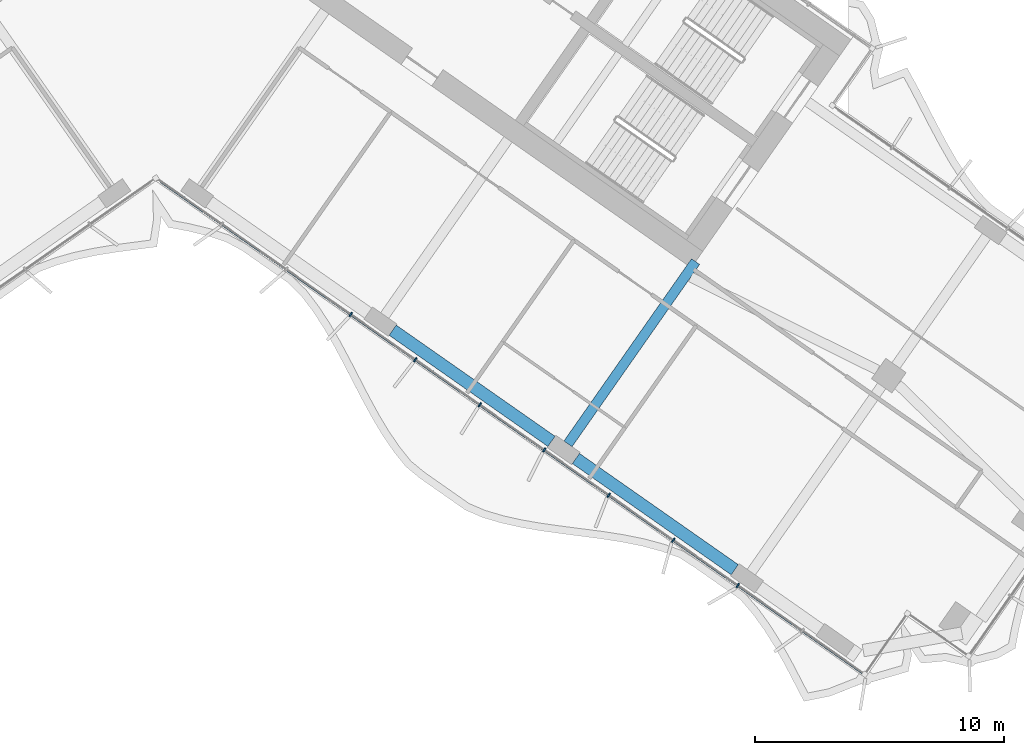
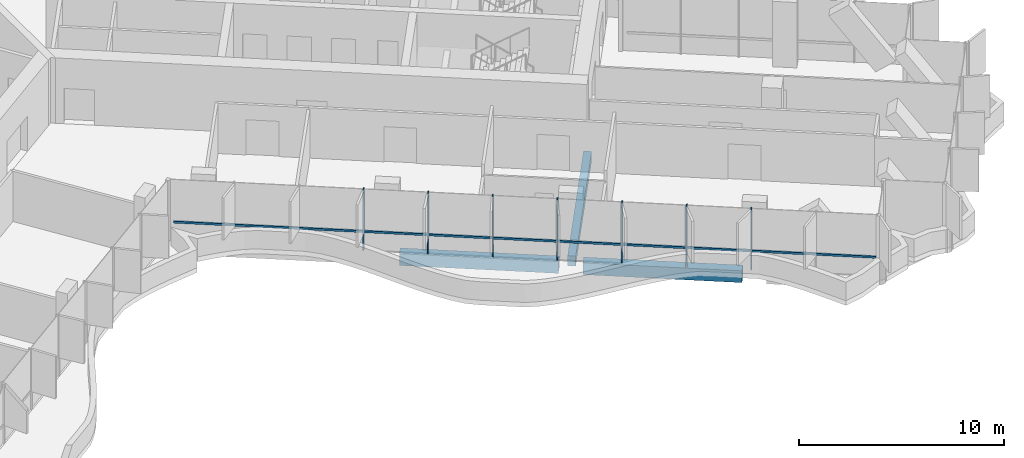
# One storey, part 5 of 21: 8 members, 3 beams, 1 element without a shape of its own.
"""IFC4 building model written with IfcOpenShell, lengths in metres."""

from ifc_helpers import new_model, si_unit, direction, frame, origin, origin_2d, place, context, subcontext, project, spatial, rectangle, extrude, material, material_profile, profile_set, type_object, element, aggregate, save


model = new_model("IFC4")

# Units and contexts
model_context = context("Model", 3, precision=1e-05, world=origin(), true_north=direction((0.0, 1.0)))
body_context = subcontext(model_context, "Body", "Model", "MODEL_VIEW")
ifc_project = project(units=[si_unit("LENGTHUNIT", "METRE"), si_unit("AREAUNIT", "SQUARE_METRE"), si_unit("VOLUMEUNIT", "CUBIC_METRE"), si_unit("PLANEANGLEUNIT", "RADIAN"), si_unit("MASSUNIT", "GRAM", prefix="KILO")], contexts=[model_context])

# Site, building, storey
site_placement = place(None, origin())
site = spatial("IfcSite", under=ifc_project, at=site_placement, CompositionType="ELEMENT")
building_placement = place(site_placement, origin())
building = spatial("IfcBuilding", under=site, at=building_placement, Name="Tel Ilan Convention Tower", CompositionType="ELEMENT")
storey_placement = place(building_placement, frame((0.0, 0.0, 139.800048828125)))
storey = spatial("IfcBuildingStorey", under=building, at=storey_placement, Name="L31", CompositionType="ELEMENT", Elevation=139.800048828125)

# Beams
ifc_material_1 = material(Name="Concrete C40/50", Category="concrete")
ifc_material_profile_1 = material_profile(ifc_material_1, rectangle(XDim=0.39990234375, YDim=0.60009765625, at=origin_2d()), Name="RC 400x600")
ifc_profile_set_1 = profile_set([ifc_material_profile_1], Name="Concrete C40/50")
beam_type_1 = type_object("IfcBeamType", Name="Beam RC 400x600 Concrete C40/50", PredefinedType="BEAM", material=ifc_profile_set_1)
beam_placement = place(storey_placement, frame((16.58203125, -23.391357421875, -0.580078125), z_axis=(0.573584999642, 0.819146048141, 0.0), x_axis=(-0.819146048141, 0.573584999642, 0.0)))
element("IfcBeam", 1, at=beam_placement, inside=storey, type_object=beam_type_1, Name="L31 beam E-E-F3-core", PredefinedType="BEAM", context=body_context, shape_type="SweptSolid", body=[
    extrude(rectangle(XDim=0.39990234375, YDim=0.60009765625, at=origin_2d()), origin(), (0.0, 0.0, 1.0), 8.949951171875),
])
ifc_material_2 = material(Name="Concrete C40/50", Category="concrete")
ifc_material_profile_2 = material_profile(ifc_material_2, rectangle(XDim=0.5, YDim=0.699951171875, at=origin_2d()), Name="RC 500x700")
ifc_profile_set_2 = profile_set([ifc_material_profile_2], Name="Concrete C40/50")
beam_type_2 = type_object("IfcBeamType", Name="Beam RC 500x700 Concrete C40/50", PredefinedType="BEAM", material=ifc_profile_set_2)
for number, where, z_axis, x_axis, name in (
    (2, (9.529052734375, -18.819091796875, -0.630126953125), (0.819153977895, -0.573573674866, 0.0), (0.573573674866, 0.819153977895, 0.0), "L31 beam E-E-F2-E-F3"),
    (3, (16.901611328125, -23.981201171875, -0.630126953125), (0.819153977895, -0.573573674866, 0.0), (0.573573674866, 0.819153977895, 0.0), "L31 beam E-E-F3-E-F4"),
):
    element("IfcBeam", number, at=place(storey_placement, frame(where, z_axis=z_axis, x_axis=x_axis)), inside=storey, type_object=beam_type_2, Name=name, PredefinedType="BEAM", context=body_context, shape_type="SweptSolid", body=[
        extrude(rectangle(XDim=0.5, YDim=0.699951171875, at=origin_2d()), origin(), (0.0, 0.0, 1.0), 7.800048828125),
    ])

# Curtain wall, members
ifc_material_3 = material(Name="Aluminium, bronze anodised", Category="aluminium")
curtain_wall_type = type_object("IfcCurtainWallType", Name="CW4 STICK CURTAIN WALL, OFFICE TINTED GLASS", PredefinedType="NOTDEFINED", material=ifc_material_3)
curtain_wall_placement = place(storey_placement, origin())
curtain_wall = element("IfcCurtainWall", 4, at=curtain_wall_placement, inside=storey, type_object=curtain_wall_type, Name="Curtain wall CW4-25.02", PredefinedType="NOTDEFINED")
ifc_material_4 = material(Name="Aluminium, bronze anodised", Category="aluminium")
ifc_material_profile_3 = material_profile(ifc_material_4, rectangle(XDim=0.06005859375, YDim=0.199951171875, at=origin_2d()), Name="CW MULLION 60x200")
ifc_profile_set_3 = profile_set([ifc_material_profile_3], Name="Aluminium, bronze anodised")
member_type_1 = type_object("IfcMemberType", Name="CW MULLION 60x200", PredefinedType="MULLION", material=ifc_profile_set_3)
member_1_placement = place(storey_placement, frame((7.842529296875, -18.1875, 0.0), z_axis=(0.0, 0.0, 1.0), x_axis=(0.819152044289, -0.573576436351, 0.0)))
member_1 = element("IfcMember", 5, at=member_1_placement, type_object=member_type_1, Name="Mullion", PredefinedType="MULLION", context=body_context, shape_type="SweptSolid", body=[
    extrude(rectangle(XDim=0.06005859375, YDim=0.199951171875, at=origin_2d()), origin(), (0.0, 0.0, 1.0), 3.619873046875),
])
member_2_placement = place(storey_placement, frame((10.4375, -20.004638671875, 0.0), z_axis=(0.0, 0.0, 1.0), x_axis=(0.819152044289, -0.573576436351, 0.0)))
member_2 = element("IfcMember", 6, at=member_2_placement, type_object=member_type_1, Name="Mullion", PredefinedType="MULLION", context=body_context, shape_type="SweptSolid", body=[
    extrude(rectangle(XDim=0.06005859375, YDim=0.199951171875, at=origin_2d()), origin(), (0.0, 0.0, 1.0), 3.619873046875),
])
member_3_placement = place(storey_placement, frame((13.03271484375, -21.821533203125, 0.0), z_axis=(0.0, 0.0, 1.0), x_axis=(0.819152044289, -0.573576436351, 0.0)))
member_3 = element("IfcMember", 7, at=member_3_placement, type_object=member_type_1, Name="Mullion", PredefinedType="MULLION", context=body_context, shape_type="SweptSolid", body=[
    extrude(rectangle(XDim=0.06005859375, YDim=0.199951171875, at=origin_2d()), origin(), (0.0, 0.0, 1.0), 3.619873046875),
])
member_4_placement = place(storey_placement, frame((15.627685546875, -23.638671875, 0.0), z_axis=(0.0, 0.0, 1.0), x_axis=(0.819152044289, -0.573576436351, 0.0)))
member_4 = element("IfcMember", 8, at=member_4_placement, type_object=member_type_1, Name="Mullion", PredefinedType="MULLION", context=body_context, shape_type="SweptSolid", body=[
    extrude(rectangle(XDim=0.06005859375, YDim=0.199951171875, at=origin_2d()), origin(), (0.0, 0.0, 1.0), 3.619873046875),
])
member_5_placement = place(storey_placement, frame((18.222900390625, -25.455810546875, 0.0), z_axis=(0.0, 0.0, 1.0), x_axis=(0.819152044289, -0.573576436351, 0.0)))
member_5 = element("IfcMember", 9, at=member_5_placement, type_object=member_type_1, Name="Mullion", PredefinedType="MULLION", context=body_context, shape_type="SweptSolid", body=[
    extrude(rectangle(XDim=0.06005859375, YDim=0.199951171875, at=origin_2d()), origin(), (0.0, 0.0, 1.0), 3.619873046875),
])
member_6_placement = place(storey_placement, frame((20.81787109375, -27.27294921875, 0.0), z_axis=(0.0, 0.0, 1.0), x_axis=(0.819152044289, -0.573576436351, 0.0)))
member_6 = element("IfcMember", 10, at=member_6_placement, type_object=member_type_1, Name="Mullion", PredefinedType="MULLION", context=body_context, shape_type="SweptSolid", body=[
    extrude(rectangle(XDim=0.06005859375, YDim=0.199951171875, at=origin_2d()), origin(), (0.0, 0.0, 1.0), 3.619873046875),
])
member_7_placement = place(storey_placement, frame((23.412841796875, -29.08984375, 0.0), z_axis=(0.0, 0.0, 1.0), x_axis=(0.819152044289, -0.573576436351, 0.0)))
member_7 = element("IfcMember", 11, at=member_7_placement, type_object=member_type_1, Name="Mullion", PredefinedType="MULLION", context=body_context, shape_type="SweptSolid", body=[
    extrude(rectangle(XDim=0.06005859375, YDim=0.199951171875, at=origin_2d()), origin(), (0.0, 0.0, 1.0), 3.619873046875),
])
ifc_material_5 = material(Name="Aluminium, bronze anodised", Category="aluminium")
ifc_material_profile_4 = material_profile(ifc_material_5, rectangle(XDim=0.10009765625, YDim=0.1201171875, at=origin_2d()), Name="CW TRANSOM 100x120")
ifc_profile_set_4 = profile_set([ifc_material_profile_4], Name="Aluminium, bronze anodised")
member_type_2 = type_object("IfcMemberType", Name="CW TRANSOM 100x120", PredefinedType="USERDEFINED", material=ifc_profile_set_4)
member_8_placement = place(storey_placement, frame((0.22119140625, -12.850830078125, 1.099853515625), z_axis=(0.819151003602, -0.573577922604, 0.0), x_axis=(0.573577922604, 0.819151003602, 0.0)))
member_8 = element("IfcMember", 12, at=member_8_placement, type_object=member_type_2, Name="Transom", ObjectType="TRANSOM", PredefinedType="USERDEFINED", context=body_context, shape_type="SweptSolid", body=[
    extrude(rectangle(XDim=0.10009765625, YDim=0.1201171875, at=origin_2d()), origin(), (0.0, 0.0, 1.0), 34.447998046875),
])
aggregate(curtain_wall, [member_1, member_2, member_3, member_4, member_5, member_6, member_7, member_8])

save(model, "model.ifc")
